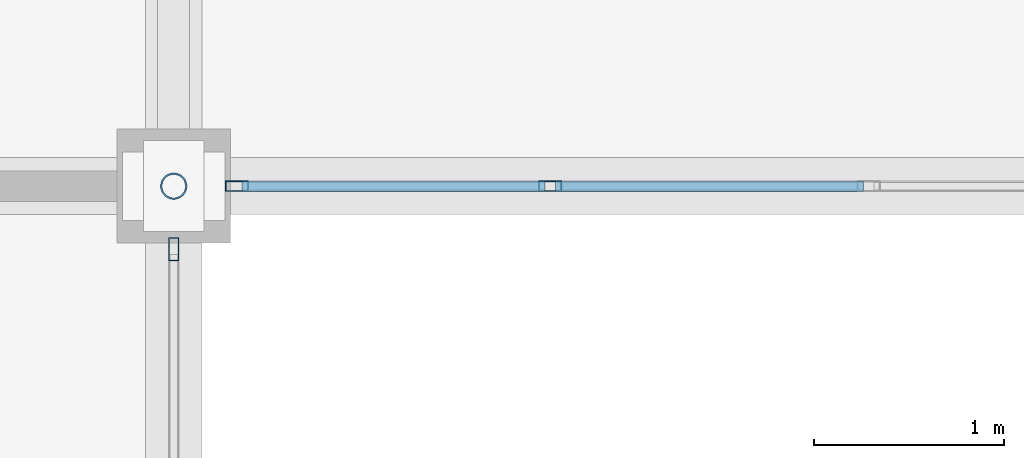
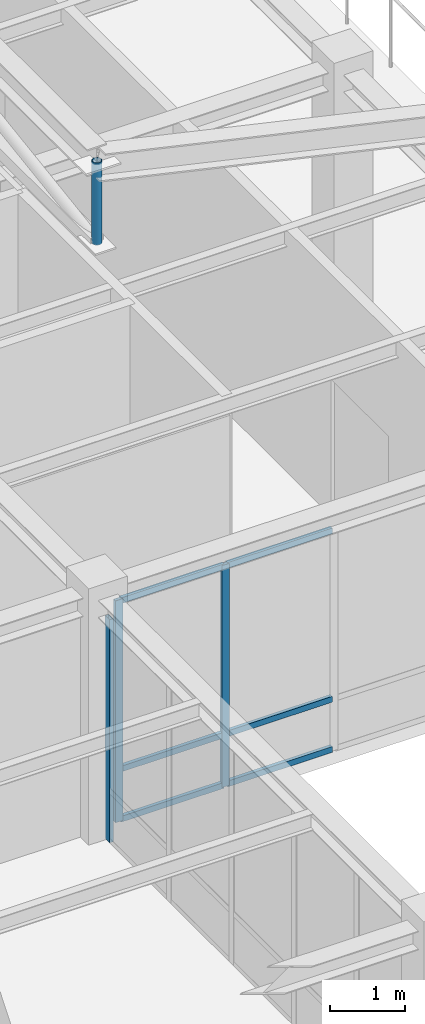
# One storey, part 37 of 130: 10 members, 2 elements without a shape of their own.
"""IFC4 building model written with IfcOpenShell, lengths in metres."""

from ifc_helpers import new_model, si_unit, direction, frame, origin, origin_2d, place, context, subcontext, project, spatial, hollow_rectangle, hollow_circle, extrude, material, material_profile, profile_set, type_object, element, aggregate, save


model = new_model("IFC4")

# Units and contexts
model_context = context("Model", 3, precision=1e-05, world=origin(), true_north=direction((0.0, 1.0)))
body_context = subcontext(model_context, "Body", "Model", "MODEL_VIEW")
ifc_project = project(units=[si_unit("LENGTHUNIT", "METRE"), si_unit("AREAUNIT", "SQUARE_METRE"), si_unit("VOLUMEUNIT", "CUBIC_METRE"), si_unit("PLANEANGLEUNIT", "RADIAN"), si_unit("MASSUNIT", "GRAM", prefix="KILO")], contexts=[model_context])

# Site, building, storey
site_placement = place(None, origin())
site = spatial("IfcSite", under=ifc_project, at=site_placement, CompositionType="ELEMENT")
building_placement = place(site_placement, origin())
building = spatial("IfcBuilding", under=site, at=building_placement, Name="Lykobir Media Centre", CompositionType="ELEMENT")
storey_placement = place(building_placement, frame((0.0, 0.0, 19.199951171875)))
storey = spatial("IfcBuildingStorey", under=building, at=storey_placement, Name="L04", CompositionType="ELEMENT", Elevation=19.199951171875)

# Member
ifc_material_1 = material(Name="Steel S355", Category="steel")
ifc_material_profile_1 = material_profile(ifc_material_1, hollow_circle(Radius=0.06982421875, WallThickness=0.008056640625, at=origin_2d()), Name="CHS 139.7x8.0")
ifc_profile_set_1 = profile_set([ifc_material_profile_1], Name="Steel S355")
member_type_1 = type_object("IfcMemberType", Name="BR-CHS140", PredefinedType="BRACE", material=ifc_profile_set_1)
member_1_placement = place(storey_placement, frame((36.0, 63.0, 10.93994140625), z_axis=(0.0, 0.0, -1.0), x_axis=(1.0, 0.0, 0.0)))
element("IfcMember", 1, at=member_1_placement, inside=storey, type_object=member_type_1, Name="Diagonal brace MEM2-L04-0360-0630-0301-0360-0630-0433", PredefinedType="BRACE", context=body_context, shape_type="SweptSolid", body=[
    extrude(hollow_circle(Radius=0.06982421875, WallThickness=0.008056640625, at=origin_2d()), origin(), (0.0, 0.0, 1.0), 1.349853515625),
])

# Curtain wall, member
ifc_material_2 = material(Name="Anodized Aluminium AW-6060", Category="aluminium")
curtain_wall_type = type_object("IfcCurtainWallType", Name="CW-COURT-B", PredefinedType="NOTDEFINED", material=ifc_material_2)
curtain_wall_1_placement = place(storey_placement, origin())
curtain_wall_1 = element("IfcCurtainWall", 2, at=curtain_wall_1_placement, inside=storey, type_object=curtain_wall_type, Name="Curtain wall CW2-L04-0158", PredefinedType="NOTDEFINED")
ifc_material_profile_2 = material_profile(ifc_material_2, hollow_rectangle(XDim=0.054931640625, YDim=0.1201171875, WallThickness=0.003173828125, at=origin_2d()), Name="ALU MULLION 55x120")
ifc_profile_set_2 = profile_set([ifc_material_profile_2], Name="Anodized Aluminium AW-6060")
member_type_2 = type_object("IfcMemberType", Name="CWM-120", PredefinedType="MULLION", material=ifc_profile_set_2)
member_2_placement = place(storey_placement, frame((36.0, 62.66748046875, 0.0), z_axis=(0.0, 0.0, 1.0), x_axis=(1.0, 0.0, 0.0)))
member_2 = element("IfcMember", 3, at=member_2_placement, type_object=member_type_2, Name="CW2-L04-0158 mullion 1", PredefinedType="MULLION", context=body_context, shape_type="SweptSolid", body=[
    extrude(hollow_rectangle(XDim=0.054931640625, YDim=0.1201171875, WallThickness=0.003173828125, at=origin_2d()), origin(), (0.0, 0.0, 1.0), 3.655029296875),
])
aggregate(curtain_wall_1, [member_2])

# Curtain wall, members
curtain_wall_2_placement = place(storey_placement, origin())
curtain_wall_2 = element("IfcCurtainWall", 4, at=curtain_wall_2_placement, inside=storey, type_object=curtain_wall_type, Name="Curtain wall CW2-L04-0159", PredefinedType="NOTDEFINED")
member_3_placement = place(storey_placement, frame((37.98291015625, 63.0, 0.0), z_axis=(0.0, 0.0, 1.0), x_axis=(0.0, -1.0, 0.0)))
member_3 = element("IfcMember", 5, at=member_3_placement, type_object=member_type_2, Name="CW2-L04-0159 mullion 5", PredefinedType="MULLION", context=body_context, shape_type="SweptSolid", body=[
    extrude(hollow_rectangle(XDim=0.054931640625, YDim=0.1201171875, WallThickness=0.003173828125, at=origin_2d()), origin(), (0.0, 0.0, 1.0), 3.635009765625),
])
member_4_placement = place(storey_placement, frame((36.33251953125, 63.0, 0.0), z_axis=(0.0, 0.0, 1.0), x_axis=(0.0, -1.0, 0.0)))
member_4 = element("IfcMember", 6, at=member_4_placement, type_object=member_type_2, Name="CW2-L04-0159 mullion 6", PredefinedType="MULLION", context=body_context, shape_type="SweptSolid", body=[
    extrude(hollow_rectangle(XDim=0.054931640625, YDim=0.1201171875, WallThickness=0.003173828125, at=origin_2d()), origin(), (0.0, 0.0, 1.0), 3.635009765625),
])
ifc_material_profile_3 = material_profile(ifc_material_2, hollow_rectangle(XDim=0.054931640625, YDim=0.094970703125, WallThickness=0.0029296875, at=origin_2d()), Name="ALU TRANSOM 55x95")
ifc_profile_set_3 = profile_set([ifc_material_profile_3], Name="Anodized Aluminium AW-6060")
member_type_3 = type_object("IfcMemberType", Name="CWT-095", PredefinedType="USERDEFINED", material=ifc_profile_set_3)
member_5_placement = place(storey_placement, frame((39.633544921875, 63.0, 0.027587890625), z_axis=(-1.0, 0.0, 0.0), x_axis=(0.0, -1.0, 0.0)))
member_5 = element("IfcMember", 7, at=member_5_placement, type_object=member_type_3, Name="CW2-L04-0159 transom 4.1", ObjectType="TRANSOM", PredefinedType="USERDEFINED", context=body_context, shape_type="SweptSolid", body=[
    extrude(hollow_rectangle(XDim=0.054931640625, YDim=0.094970703125, WallThickness=0.0029296875, at=origin_2d()), origin(), (0.0, 0.0, 1.0), 1.623046875),
])
member_6_placement = place(storey_placement, frame((39.633544921875, 63.0, 0.85009765625), z_axis=(-1.0, 0.0, 0.0), x_axis=(0.0, -1.0, 0.0)))
member_6 = element("IfcMember", 8, at=member_6_placement, type_object=member_type_3, Name="CW2-L04-0159 transom 4.2", ObjectType="TRANSOM", PredefinedType="USERDEFINED", context=body_context, shape_type="SweptSolid", body=[
    extrude(hollow_rectangle(XDim=0.054931640625, YDim=0.094970703125, WallThickness=0.0029296875, at=origin_2d()), origin(), (0.0, 0.0, 1.0), 1.623046875),
])
member_7_placement = place(storey_placement, frame((39.633544921875, 63.0, 3.607666015625), z_axis=(-1.0, 0.0, 0.0), x_axis=(0.0, -1.0, 0.0)))
member_7 = element("IfcMember", 9, at=member_7_placement, type_object=member_type_3, Name="CW2-L04-0159 transom 4.3", ObjectType="TRANSOM", PredefinedType="USERDEFINED", context=body_context, shape_type="SweptSolid", body=[
    extrude(hollow_rectangle(XDim=0.054931640625, YDim=0.094970703125, WallThickness=0.0029296875, at=origin_2d()), origin(), (0.0, 0.0, 1.0), 1.623046875),
])
member_8_placement = place(storey_placement, frame((37.95556640625, 63.0, 0.027587890625), z_axis=(-1.0, 0.0, 0.0), x_axis=(0.0, -1.0, 0.0)))
member_8 = element("IfcMember", 10, at=member_8_placement, type_object=member_type_3, Name="CW2-L04-0159 transom 5.1", ObjectType="TRANSOM", PredefinedType="USERDEFINED", context=body_context, shape_type="SweptSolid", body=[
    extrude(hollow_rectangle(XDim=0.054931640625, YDim=0.094970703125, WallThickness=0.0029296875, at=origin_2d()), origin(), (0.0, 0.0, 1.0), 1.595458984375),
])
member_9_placement = place(storey_placement, frame((37.95556640625, 63.0, 0.85009765625), z_axis=(-1.0, 0.0, 0.0), x_axis=(0.0, -1.0, 0.0)))
member_9 = element("IfcMember", 11, at=member_9_placement, type_object=member_type_3, Name="CW2-L04-0159 transom 5.2", ObjectType="TRANSOM", PredefinedType="USERDEFINED", context=body_context, shape_type="SweptSolid", body=[
    extrude(hollow_rectangle(XDim=0.054931640625, YDim=0.094970703125, WallThickness=0.0029296875, at=origin_2d()), origin(), (0.0, 0.0, 1.0), 1.595458984375),
])
member_10_placement = place(storey_placement, frame((37.95556640625, 63.0, 3.607666015625), z_axis=(-1.0, 0.0, 0.0), x_axis=(0.0, -1.0, 0.0)))
member_10 = element("IfcMember", 12, at=member_10_placement, type_object=member_type_3, Name="CW2-L04-0159 transom 5.3", ObjectType="TRANSOM", PredefinedType="USERDEFINED", context=body_context, shape_type="SweptSolid", body=[
    extrude(hollow_rectangle(XDim=0.054931640625, YDim=0.094970703125, WallThickness=0.0029296875, at=origin_2d()), origin(), (0.0, 0.0, 1.0), 1.595458984375),
])
aggregate(curtain_wall_2, [member_3, member_4, member_5, member_6, member_7, member_8, member_9, member_10])

save(model, "model.ifc")
